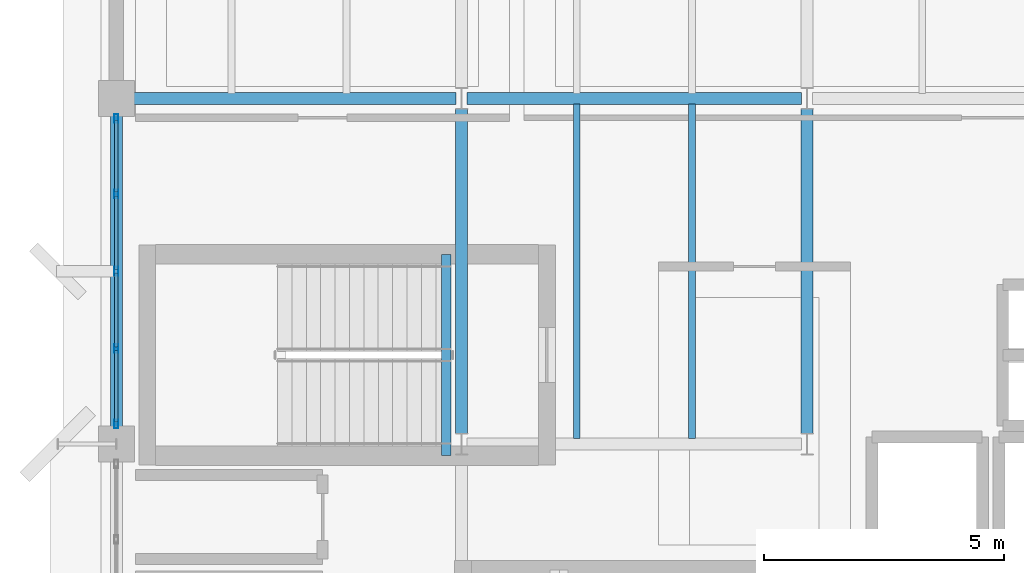
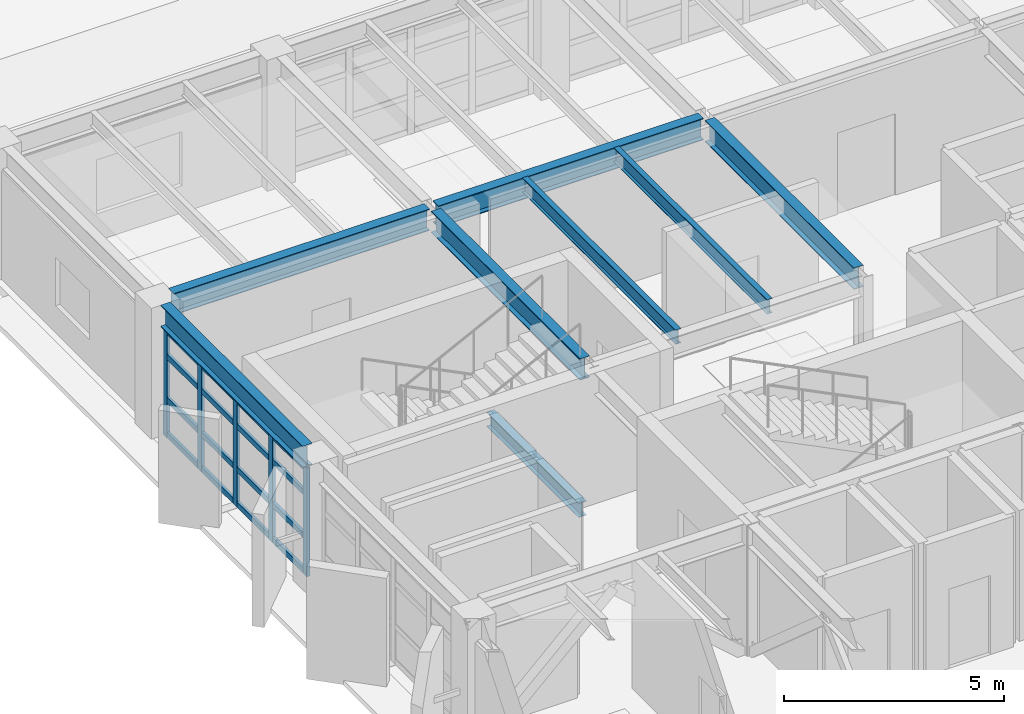
# One storey, part 9 of 48: 21 members, 8 beams, 1 element without a shape of its own.
"""IFC4 building model written with IfcOpenShell, lengths in metres."""

from ifc_helpers import new_model, si_unit, direction, frame, origin, origin_2d, place, context, subcontext, project, spatial, hollow_rectangle, i_section, extrude, material, layer, layer_set, material_profile, profile_set, type_object, element, aggregate, save


model = new_model("IFC4")

# Units and contexts
model_context = context("Model", 3, precision=1e-05, world=origin(), true_north=direction((0.0, 1.0)))
body_context = subcontext(model_context, "Body", "Model", "MODEL_VIEW")
ifc_project = project(units=[si_unit("LENGTHUNIT", "METRE"), si_unit("AREAUNIT", "SQUARE_METRE"), si_unit("VOLUMEUNIT", "CUBIC_METRE"), si_unit("PLANEANGLEUNIT", "RADIAN"), si_unit("MASSUNIT", "GRAM", prefix="KILO")], contexts=[model_context])

# Site, building, storey
site_placement = place(None, origin())
site = spatial("IfcSite", under=ifc_project, at=site_placement, CompositionType="ELEMENT")
building_placement = place(site_placement, origin())
building = spatial("IfcBuilding", under=site, at=building_placement, Name="Kandorven Conservatory and Botanical Research Centre", CompositionType="ELEMENT")
storey_placement = place(building_placement, frame((0.0, 0.0, 13.199951171875)))
storey = spatial("IfcBuildingStorey", under=building, at=storey_placement, Name="L03", CompositionType="ELEMENT", Elevation=13.199951171875)

# Beams
ifc_material_1 = material(Name="Steel S355 (IS 2062 E350)", Category="steel")
ifc_material_profile_1 = material_profile(ifc_material_1, i_section(OverallWidth=0.25, OverallDepth=0.60009765625, WebThickness=0.01171875, FlangeThickness=0.023681640625, at=origin_2d()))
ifc_profile_set_1 = profile_set([ifc_material_profile_1], Name="Steel S355 (IS 2062 E350)")
beam_type_1 = type_object("IfcBeamType", Name="Beam_FG-01", PredefinedType="USERDEFINED", material=ifc_profile_set_1)
beam_1_placement = place(storey_placement, frame((6.364990234375, 27.60009765625, 3.3349609375), z_axis=(1.0, 0.0, 0.0), x_axis=(0.0, 1.0, 0.0)))
element("IfcBeam", 1, at=beam_1_placement, inside=storey, type_object=beam_type_1, Name="Primary girder FG-01 TWR L03", ObjectType="GIRDER", PredefinedType="USERDEFINED", context=body_context, shape_type="SweptSolid", body=[
    extrude(i_section(OverallWidth=0.25, OverallDepth=0.60009765625, WebThickness=0.01171875, FlangeThickness=0.023681640625, at=origin_2d()), origin(), (0.0, 0.0, 1.0), 6.719970703125),
])
beam_2_placement = place(storey_placement, frame((13.31494140625, 27.60009765625, 3.3349609375), z_axis=(1.0, 0.0, 0.0), x_axis=(0.0, 1.0, 0.0)))
element("IfcBeam", 2, at=beam_2_placement, inside=storey, type_object=beam_type_1, Name="Primary girder FG-01 TWR L03", ObjectType="GIRDER", PredefinedType="USERDEFINED", context=body_context, shape_type="SweptSolid", body=[
    extrude(i_section(OverallWidth=0.25, OverallDepth=0.60009765625, WebThickness=0.01171875, FlangeThickness=0.023681640625, at=origin_2d()), origin(), (0.0, 0.0, 1.0), 6.969970703125),
])
beam_3_placement = place(storey_placement, frame((6.0, 20.764892578125, 3.3349609375), z_axis=(0.0, 1.0, 0.0), x_axis=(-1.0, 0.0, 0.0)))
element("IfcBeam", 3, at=beam_3_placement, inside=storey, type_object=beam_type_1, Name="Primary girder FG-01 TWR L03", ObjectType="GIRDER", PredefinedType="USERDEFINED", context=body_context, shape_type="SweptSolid", body=[
    extrude(i_section(OverallWidth=0.25, OverallDepth=0.60009765625, WebThickness=0.01171875, FlangeThickness=0.023681640625, at=origin_2d()), origin(), (0.0, 0.0, 1.0), 6.47021484375),
])
for number, where, z_axis, x_axis, name in (
    (4, (13.199951171875, 20.614990234375, 3.3349609375), (0.0, 1.0, 0.0), (-1.0, 0.0, 0.0), "Primary girder FG-01 TWR L03"),
    (5, (20.39990234375, 20.614990234375, 3.3349609375), (0.0, 1.0, 0.0), (-1.0, 0.0, 0.0), "Primary girder FG-01 TWR L03"),
):
    element("IfcBeam", number, at=place(storey_placement, frame(where, z_axis=z_axis, x_axis=x_axis)), inside=storey, type_object=beam_type_1, Name=name, ObjectType="GIRDER", PredefinedType="USERDEFINED", context=body_context, shape_type="SweptSolid", body=[
        extrude(i_section(OverallWidth=0.25, OverallDepth=0.60009765625, WebThickness=0.01171875, FlangeThickness=0.023681640625, at=origin_2d()), origin(), (0.0, 0.0, 1.0), 6.77001953125),
    ])
ifc_material_2 = material(Name="Steel S355 (IS 2062 E350)", Category="steel")
ifc_material_profile_2 = material_profile(ifc_material_2, i_section(OverallWidth=0.199951171875, OverallDepth=0.39990234375, WebThickness=0.008544921875, FlangeThickness=0.012939453125, at=origin_2d()))
ifc_profile_set_2 = profile_set([ifc_material_profile_2], Name="Steel S355 (IS 2062 E350)")
beam_type_2 = type_object("IfcBeamType", Name="Beam_FG-03", PredefinedType="USERDEFINED", material=ifc_profile_set_2)
beam_4_placement = place(storey_placement, frame((12.8798828125, 24.35009765625, -0.199951171875), z_axis=(0.0, -1.0, 0.0), x_axis=(1.0, 0.0, 0.0)))
element("IfcBeam", 6, at=beam_4_placement, inside=storey, type_object=beam_type_2, Name="Stair well bottom trimmer girder FG-03 ST-T2 L03", ObjectType="GIRDER", PredefinedType="USERDEFINED", context=body_context, shape_type="SweptSolid", body=[
    extrude(i_section(OverallWidth=0.199951171875, OverallDepth=0.39990234375, WebThickness=0.008544921875, FlangeThickness=0.012939453125, at=origin_2d()), origin(), (0.0, 0.0, 1.0), 4.190185546875),
])
ifc_material_3 = material(Name="Steel S355 (IS 2062 E350)", Category="steel")
ifc_material_profile_3 = material_profile(ifc_material_3, i_section(OverallWidth=0.139892578125, OverallDepth=0.39990234375, WebThickness=0.0087890625, FlangeThickness=0.01611328125, at=origin_2d()))
ifc_profile_set_3 = profile_set([ifc_material_profile_3], Name="Steel S355 (IS 2062 E350)")
beam_type_3 = type_object("IfcBeamType", Name="Beam_SB-05", PredefinedType="BEAM", material=ifc_profile_set_3)
for number, where, z_axis, x_axis, name in (
    (7, (15.60009765625, 20.510009765625, 3.43505859375), (0.0, 1.0, 0.0), (-1.0, 0.0, 0.0), "Composite secondary beam SB-05 TWR L03"),
    (8, (18.0, 20.510009765625, 3.43505859375), (0.0, 1.0, 0.0), (-1.0, 0.0, 0.0), "Composite secondary beam SB-05 TWR L03"),
):
    element("IfcBeam", number, at=place(storey_placement, frame(where, z_axis=z_axis, x_axis=x_axis)), inside=storey, type_object=beam_type_3, Name=name, PredefinedType="BEAM", context=body_context, shape_type="SweptSolid", body=[
        extrude(i_section(OverallWidth=0.139892578125, OverallDepth=0.39990234375, WebThickness=0.0087890625, FlangeThickness=0.01611328125, at=origin_2d()), origin(), (0.0, 0.0, 1.0), 6.97998046875),
    ])

# Curtain wall, members
ifc_material_4 = material(Name="Bronze anodised thermally broken aluminium", Category="aluminium")
ifc_layer = layer(ifc_material_4, 0.179931640625)
ifc_layer_set = layer_set([ifc_layer], Name="Bronze anodised thermally broken aluminium")
curtain_wall_type = type_object("IfcCurtainWallType", Name="CW_Unitised", PredefinedType="USERDEFINED", material=ifc_layer_set)
curtain_wall_placement = place(storey_placement, origin())
curtain_wall = element("IfcCurtainWall", 9, at=curtain_wall_placement, inside=storey, type_object=curtain_wall_type, Name="Tower laboratory curtain wall CW-TWR-W-L03-3", ObjectType="UNITISED GLAZING", PredefinedType="USERDEFINED")
ifc_material_5 = material(Name="Bronze anodised thermally broken aluminium", Category="aluminium")
ifc_material_profile_4 = material_profile(ifc_material_5, hollow_rectangle(XDim=0.080078125, YDim=0.179931640625, WallThickness=0.006103515625, at=origin_2d()))
ifc_profile_set_4 = profile_set([ifc_material_profile_4], Name="Bronze anodised thermally broken aluminium")
member_type_1 = type_object("IfcMemberType", Name="CW_Mullion", PredefinedType="MULLION", material=ifc_profile_set_4)
member_1_placement = place(storey_placement, frame((6.0, 20.81494140625, 0.0), z_axis=(0.0, 0.0, 1.0), x_axis=(-1.0, 0.0, 0.0)))
member_1 = element("IfcMember", 10, at=member_1_placement, type_object=member_type_1, Name="CW-01 mullion 1", PredefinedType="MULLION", context=body_context, shape_type="SweptSolid", body=[
    extrude(hollow_rectangle(XDim=0.080078125, YDim=0.179931640625, WallThickness=0.006103515625, at=origin_2d()), origin(), (0.0, 0.0, 1.0), 3.01513671875),
])
member_2_placement = place(storey_placement, frame((6.0, 22.387451171875, 0.0), z_axis=(0.0, 0.0, 1.0), x_axis=(-1.0, 0.0, 0.0)))
member_2 = element("IfcMember", 11, at=member_2_placement, type_object=member_type_1, Name="CW-01 mullion 2", PredefinedType="MULLION", context=body_context, shape_type="SweptSolid", body=[
    extrude(hollow_rectangle(XDim=0.080078125, YDim=0.179931640625, WallThickness=0.006103515625, at=origin_2d()), origin(), (0.0, 0.0, 1.0), 3.01513671875),
])
member_3_placement = place(storey_placement, frame((6.0, 24.0, 0.0), z_axis=(0.0, 0.0, 1.0), x_axis=(-1.0, 0.0, 0.0)))
member_3 = element("IfcMember", 12, at=member_3_placement, type_object=member_type_1, Name="CW-01 mullion 3", PredefinedType="MULLION", context=body_context, shape_type="SweptSolid", body=[
    extrude(hollow_rectangle(XDim=0.080078125, YDim=0.179931640625, WallThickness=0.006103515625, at=origin_2d()), origin(), (0.0, 0.0, 1.0), 3.01513671875),
])
member_4_placement = place(storey_placement, frame((6.0, 25.612548828125, 0.0), z_axis=(0.0, 0.0, 1.0), x_axis=(-1.0, 0.0, 0.0)))
member_4 = element("IfcMember", 13, at=member_4_placement, type_object=member_type_1, Name="CW-01 mullion 4", PredefinedType="MULLION", context=body_context, shape_type="SweptSolid", body=[
    extrude(hollow_rectangle(XDim=0.080078125, YDim=0.179931640625, WallThickness=0.006103515625, at=origin_2d()), origin(), (0.0, 0.0, 1.0), 3.01513671875),
])
member_5_placement = place(storey_placement, frame((6.0, 27.18505859375, 0.0), z_axis=(0.0, 0.0, 1.0), x_axis=(-1.0, 0.0, 0.0)))
member_5 = element("IfcMember", 14, at=member_5_placement, type_object=member_type_1, Name="CW-01 mullion 5", PredefinedType="MULLION", context=body_context, shape_type="SweptSolid", body=[
    extrude(hollow_rectangle(XDim=0.080078125, YDim=0.179931640625, WallThickness=0.006103515625, at=origin_2d()), origin(), (0.0, 0.0, 1.0), 3.01513671875),
])
ifc_material_6 = material(Name="Bronze anodised thermally broken aluminium", Category="aluminium")
ifc_material_profile_5 = material_profile(ifc_material_6, hollow_rectangle(XDim=0.074951171875, YDim=0.14990234375, WallThickness=0.006103515625, at=origin_2d()))
ifc_profile_set_5 = profile_set([ifc_material_profile_5], Name="Bronze anodised thermally broken aluminium")
member_type_2 = type_object("IfcMemberType", Name="CW_Transom", PredefinedType="USERDEFINED", material=ifc_profile_set_5)
member_6_placement = place(storey_placement, frame((6.0, 20.85498046875, 0.074951171875), z_axis=(0.0, 1.0, 0.0), x_axis=(-1.0, 0.0, 0.0)))
member_6 = element("IfcMember", 15, at=member_6_placement, type_object=member_type_2, Name="CW-01 transom 1.1", ObjectType="TRANSOM", PredefinedType="USERDEFINED", context=body_context, shape_type="SweptSolid", body=[
    extrude(hollow_rectangle(XDim=0.074951171875, YDim=0.14990234375, WallThickness=0.006103515625, at=origin_2d()), origin(), (0.0, 0.0, 1.0), 1.492431640625),
])
member_7_placement = place(storey_placement, frame((6.0, 20.85498046875, 1.050048828125), z_axis=(0.0, 1.0, 0.0), x_axis=(-1.0, 0.0, 0.0)))
member_7 = element("IfcMember", 16, at=member_7_placement, type_object=member_type_2, Name="CW-01 transom 1.2", ObjectType="TRANSOM", PredefinedType="USERDEFINED", context=body_context, shape_type="SweptSolid", body=[
    extrude(hollow_rectangle(XDim=0.074951171875, YDim=0.14990234375, WallThickness=0.006103515625, at=origin_2d()), origin(), (0.0, 0.0, 1.0), 1.492431640625),
])
member_8_placement = place(storey_placement, frame((6.0, 20.85498046875, 2.25), z_axis=(0.0, 1.0, 0.0), x_axis=(-1.0, 0.0, 0.0)))
member_8 = element("IfcMember", 17, at=member_8_placement, type_object=member_type_2, Name="CW-01 transom 1.3", ObjectType="TRANSOM", PredefinedType="USERDEFINED", context=body_context, shape_type="SweptSolid", body=[
    extrude(hollow_rectangle(XDim=0.074951171875, YDim=0.14990234375, WallThickness=0.006103515625, at=origin_2d()), origin(), (0.0, 0.0, 1.0), 1.492431640625),
])
member_9_placement = place(storey_placement, frame((6.0, 20.85498046875, 2.93994140625), z_axis=(0.0, 1.0, 0.0), x_axis=(-1.0, 0.0, 0.0)))
member_9 = element("IfcMember", 18, at=member_9_placement, type_object=member_type_2, Name="CW-01 transom 1.4", ObjectType="TRANSOM", PredefinedType="USERDEFINED", context=body_context, shape_type="SweptSolid", body=[
    extrude(hollow_rectangle(XDim=0.074951171875, YDim=0.14990234375, WallThickness=0.006103515625, at=origin_2d()), origin(), (0.0, 0.0, 1.0), 1.492431640625),
])
member_10_placement = place(storey_placement, frame((6.0, 22.427490234375, 0.074951171875), z_axis=(0.0, 1.0, 0.0), x_axis=(-1.0, 0.0, 0.0)))
member_10 = element("IfcMember", 19, at=member_10_placement, type_object=member_type_2, Name="CW-01 transom 2.1", ObjectType="TRANSOM", PredefinedType="USERDEFINED", context=body_context, shape_type="SweptSolid", body=[
    extrude(hollow_rectangle(XDim=0.074951171875, YDim=0.14990234375, WallThickness=0.006103515625, at=origin_2d()), origin(), (0.0, 0.0, 1.0), 1.532470703125),
])
member_11_placement = place(storey_placement, frame((6.0, 22.427490234375, 1.050048828125), z_axis=(0.0, 1.0, 0.0), x_axis=(-1.0, 0.0, 0.0)))
member_11 = element("IfcMember", 20, at=member_11_placement, type_object=member_type_2, Name="CW-01 transom 2.2", ObjectType="TRANSOM", PredefinedType="USERDEFINED", context=body_context, shape_type="SweptSolid", body=[
    extrude(hollow_rectangle(XDim=0.074951171875, YDim=0.14990234375, WallThickness=0.006103515625, at=origin_2d()), origin(), (0.0, 0.0, 1.0), 1.532470703125),
])
member_12_placement = place(storey_placement, frame((6.0, 22.427490234375, 2.25), z_axis=(0.0, 1.0, 0.0), x_axis=(-1.0, 0.0, 0.0)))
member_12 = element("IfcMember", 21, at=member_12_placement, type_object=member_type_2, Name="CW-01 transom 2.3", ObjectType="TRANSOM", PredefinedType="USERDEFINED", context=body_context, shape_type="SweptSolid", body=[
    extrude(hollow_rectangle(XDim=0.074951171875, YDim=0.14990234375, WallThickness=0.006103515625, at=origin_2d()), origin(), (0.0, 0.0, 1.0), 1.532470703125),
])
member_13_placement = place(storey_placement, frame((6.0, 22.427490234375, 2.93994140625), z_axis=(0.0, 1.0, 0.0), x_axis=(-1.0, 0.0, 0.0)))
member_13 = element("IfcMember", 22, at=member_13_placement, type_object=member_type_2, Name="CW-01 transom 2.4", ObjectType="TRANSOM", PredefinedType="USERDEFINED", context=body_context, shape_type="SweptSolid", body=[
    extrude(hollow_rectangle(XDim=0.074951171875, YDim=0.14990234375, WallThickness=0.006103515625, at=origin_2d()), origin(), (0.0, 0.0, 1.0), 1.532470703125),
])
member_14_placement = place(storey_placement, frame((6.0, 24.0400390625, 0.074951171875), z_axis=(0.0, 1.0, 0.0), x_axis=(-1.0, 0.0, 0.0)))
member_14 = element("IfcMember", 23, at=member_14_placement, type_object=member_type_2, Name="CW-01 transom 3.1", ObjectType="TRANSOM", PredefinedType="USERDEFINED", context=body_context, shape_type="SweptSolid", body=[
    extrude(hollow_rectangle(XDim=0.074951171875, YDim=0.14990234375, WallThickness=0.006103515625, at=origin_2d()), origin(), (0.0, 0.0, 1.0), 1.532470703125),
])
member_15_placement = place(storey_placement, frame((6.0, 24.0400390625, 1.050048828125), z_axis=(0.0, 1.0, 0.0), x_axis=(-1.0, 0.0, 0.0)))
member_15 = element("IfcMember", 24, at=member_15_placement, type_object=member_type_2, Name="CW-01 transom 3.2", ObjectType="TRANSOM", PredefinedType="USERDEFINED", context=body_context, shape_type="SweptSolid", body=[
    extrude(hollow_rectangle(XDim=0.074951171875, YDim=0.14990234375, WallThickness=0.006103515625, at=origin_2d()), origin(), (0.0, 0.0, 1.0), 1.532470703125),
])
member_16_placement = place(storey_placement, frame((6.0, 24.0400390625, 2.25), z_axis=(0.0, 1.0, 0.0), x_axis=(-1.0, 0.0, 0.0)))
member_16 = element("IfcMember", 25, at=member_16_placement, type_object=member_type_2, Name="CW-01 transom 3.3", ObjectType="TRANSOM", PredefinedType="USERDEFINED", context=body_context, shape_type="SweptSolid", body=[
    extrude(hollow_rectangle(XDim=0.074951171875, YDim=0.14990234375, WallThickness=0.006103515625, at=origin_2d()), origin(), (0.0, 0.0, 1.0), 1.532470703125),
])
member_17_placement = place(storey_placement, frame((6.0, 24.0400390625, 2.93994140625), z_axis=(0.0, 1.0, 0.0), x_axis=(-1.0, 0.0, 0.0)))
member_17 = element("IfcMember", 26, at=member_17_placement, type_object=member_type_2, Name="CW-01 transom 3.4", ObjectType="TRANSOM", PredefinedType="USERDEFINED", context=body_context, shape_type="SweptSolid", body=[
    extrude(hollow_rectangle(XDim=0.074951171875, YDim=0.14990234375, WallThickness=0.006103515625, at=origin_2d()), origin(), (0.0, 0.0, 1.0), 1.532470703125),
])
member_18_placement = place(storey_placement, frame((6.0, 25.652587890625, 0.074951171875), z_axis=(0.0, 1.0, 0.0), x_axis=(-1.0, 0.0, 0.0)))
member_18 = element("IfcMember", 27, at=member_18_placement, type_object=member_type_2, Name="CW-01 transom 4.1", ObjectType="TRANSOM", PredefinedType="USERDEFINED", context=body_context, shape_type="SweptSolid", body=[
    extrude(hollow_rectangle(XDim=0.074951171875, YDim=0.14990234375, WallThickness=0.006103515625, at=origin_2d()), origin(), (0.0, 0.0, 1.0), 1.492431640625),
])
member_19_placement = place(storey_placement, frame((6.0, 25.652587890625, 1.050048828125), z_axis=(0.0, 1.0, 0.0), x_axis=(-1.0, 0.0, 0.0)))
member_19 = element("IfcMember", 28, at=member_19_placement, type_object=member_type_2, Name="CW-01 transom 4.2", ObjectType="TRANSOM", PredefinedType="USERDEFINED", context=body_context, shape_type="SweptSolid", body=[
    extrude(hollow_rectangle(XDim=0.074951171875, YDim=0.14990234375, WallThickness=0.006103515625, at=origin_2d()), origin(), (0.0, 0.0, 1.0), 1.492431640625),
])
member_20_placement = place(storey_placement, frame((6.0, 25.652587890625, 2.25), z_axis=(0.0, 1.0, 0.0), x_axis=(-1.0, 0.0, 0.0)))
member_20 = element("IfcMember", 29, at=member_20_placement, type_object=member_type_2, Name="CW-01 transom 4.3", ObjectType="TRANSOM", PredefinedType="USERDEFINED", context=body_context, shape_type="SweptSolid", body=[
    extrude(hollow_rectangle(XDim=0.074951171875, YDim=0.14990234375, WallThickness=0.006103515625, at=origin_2d()), origin(), (0.0, 0.0, 1.0), 1.492431640625),
])
member_21_placement = place(storey_placement, frame((6.0, 25.652587890625, 2.93994140625), z_axis=(0.0, 1.0, 0.0), x_axis=(-1.0, 0.0, 0.0)))
member_21 = element("IfcMember", 30, at=member_21_placement, type_object=member_type_2, Name="CW-01 transom 4.4", ObjectType="TRANSOM", PredefinedType="USERDEFINED", context=body_context, shape_type="SweptSolid", body=[
    extrude(hollow_rectangle(XDim=0.074951171875, YDim=0.14990234375, WallThickness=0.006103515625, at=origin_2d()), origin(), (0.0, 0.0, 1.0), 1.492431640625),
])
aggregate(curtain_wall, [member_1, member_2, member_3, member_4, member_5, member_6, member_7, member_8, member_9, member_10, member_11, member_12, member_13, member_14, member_15, member_16, member_17, member_18, member_19, member_20, member_21])

save(model, "model.ifc")
